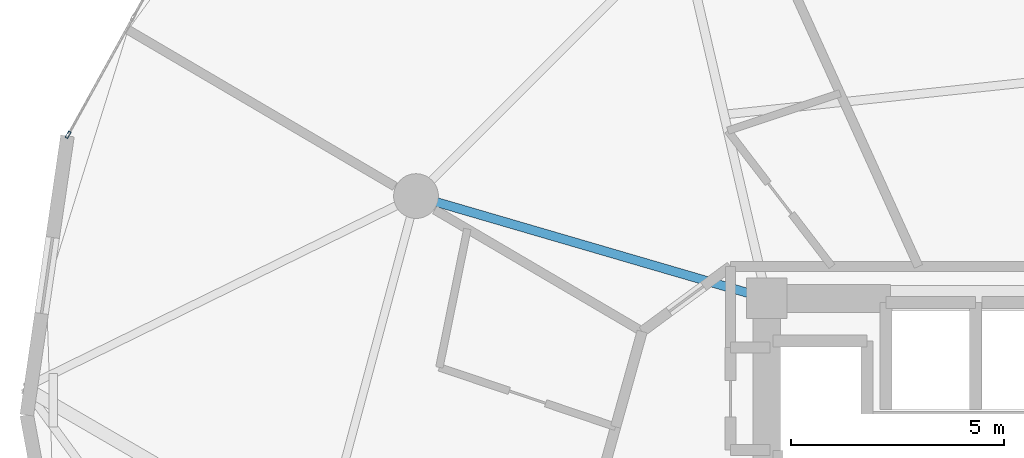
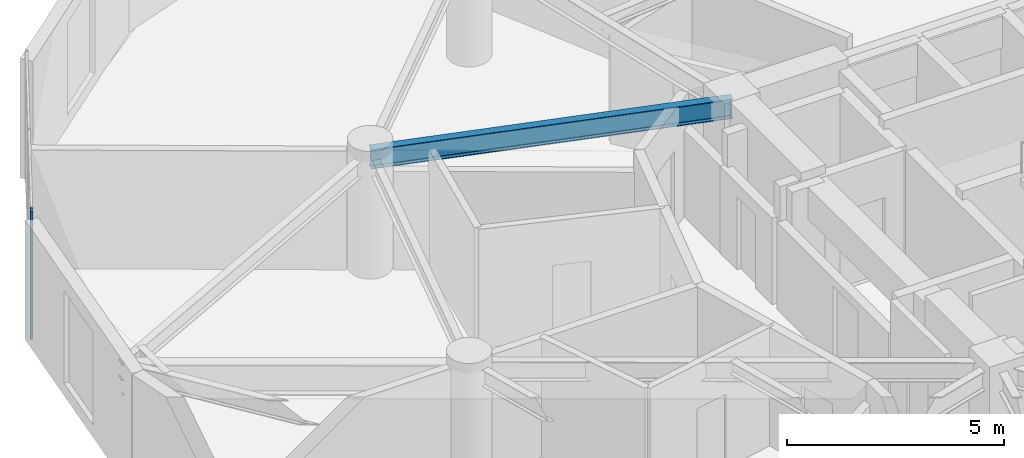
# One storey, part 4 of 21: 1 beam, 1 member, 1 element without a shape of its own.
"""IFC4 building model written with IfcOpenShell, lengths in metres."""

from ifc_helpers import new_model, si_unit, direction, frame, origin, origin_2d, place, context, subcontext, project, spatial, hollow_rectangle, i_section, extrude, source, transform, mapped, material, layer, layer_set, material_profile, profile_set, type_object, element, aggregate, save


model = new_model("IFC4")

# Units and contexts
model_context = context("Model", 3, precision=1e-05, world=origin(), true_north=direction((0.0, 1.0)))
body_context = subcontext(model_context, "Body", "Model", "MODEL_VIEW")
ifc_project = project(units=[si_unit("LENGTHUNIT", "METRE"), si_unit("AREAUNIT", "SQUARE_METRE"), si_unit("VOLUMEUNIT", "CUBIC_METRE"), si_unit("PLANEANGLEUNIT", "RADIAN"), si_unit("MASSUNIT", "GRAM", prefix="KILO")], contexts=[model_context])

# Site, building, storey
site_placement = place(None, origin())
site = spatial("IfcSite", under=ifc_project, at=site_placement, CompositionType="ELEMENT")
building_placement = place(site_placement, origin())
building = spatial("IfcBuilding", under=site, at=building_placement, Name="Solvirekh Grand Hotel", CompositionType="ELEMENT")
storey_placement = place(building_placement, frame((0.0, 0.0, 131.39990234375)))
storey = spatial("IfcBuildingStorey", under=building, at=storey_placement, Name="L33", CompositionType="ELEMENT", Elevation=131.39990234375)

# Beam
ifc_material_1 = material(Name="Steel S355", Category="steel")
ifc_material_profile_1 = material_profile(ifc_material_1, i_section(OverallWidth=0.2119140625, OverallDepth=0.5439453125, WebThickness=0.011962890625, FlangeThickness=0.01904296875, FilletRadius=0.013916015625, at=origin_2d()), Name="W530X123")
ifc_profile_set_1 = profile_set([ifc_material_profile_1], Name="Steel S355")
beam_type = type_object("IfcBeamType", Name="Beam_Radial_W530H", PredefinedType="BEAM", material=ifc_profile_set_1)
beam_placement = place(storey_placement, frame((-6.5, 6.10009765625, 3.078125), z_axis=(-0.959942195467, 0.28019811092, 0.0), x_axis=(-0.28019811092, -0.959942195467, 0.0)))
element("IfcBeam", 1, at=beam_placement, inside=storey, type_object=beam_type, Name="L33 radial floor beam R06", PredefinedType="BEAM", context=body_context, shape_type="SweptSolid", body=[
    extrude(i_section(OverallWidth=0.2119140625, OverallDepth=0.5439453125, WebThickness=0.011962890625, FlangeThickness=0.01904296875, FilletRadius=0.013916015625, at=origin_2d()), origin(), (0.0, 0.0, 1.0), 8.56494140625),
])

# Curtain wall, member
ifc_material_2 = material(Name="Anodized Bronze Aluminium 6063-T6", Category="aluminium")
ifc_layer = layer(ifc_material_2, 0.175048828125)
ifc_layer_set = layer_set([ifc_layer], Name="Anodized Bronze Aluminium 6063-T6")
curtain_wall_type = type_object("IfcCurtainWallType", Name="CW_Sys3_MidZoneFlushBronzeCW", PredefinedType="NOTDEFINED", material=ifc_layer_set)
curtain_wall_placement = place(storey_placement, origin())
curtain_wall = element("IfcCurtainWall", 2, at=curtain_wall_placement, inside=storey, type_object=curtain_wall_type, Name="L33 unitised bronze-glass curtain wall CW-L33-C11", PredefinedType="NOTDEFINED")
ifc_material_profile_2 = material_profile(ifc_material_2, hollow_rectangle(XDim=0.06494140625, YDim=0.175048828125, WallThickness=0.0048828125, at=origin_2d()), Name="ALU RHS 175X65X5")
ifc_profile_set_2 = profile_set([ifc_material_profile_2], Name="Anodized Bronze Aluminium 6063-T6")
member_type = type_object("IfcMemberType", Name="CWMullion_Sys3", PredefinedType="MULLION", material=ifc_profile_set_2)
shared_shape = source(origin(), body_context, "Body", "SweptSolid", [
    extrude(hollow_rectangle(XDim=0.06494140625, YDim=0.175048828125, WallThickness=0.0048828125, at=origin_2d()), origin(), (0.0, 0.0, 1.0), 3.60009765625),
])
member_placement = place(storey_placement, frame((-22.87939453125, 9.9384765625, 0.0), z_axis=(0.0, 0.0, 1.0), x_axis=(0.875133069134, -0.48388233209, 0.0)))
member = element("IfcMember", 3, at=member_placement, type_object=member_type, Name="U03 mullion 3", PredefinedType="MULLION", context=body_context, shape_type="MappedRepresentation", body=[
    mapped(shared_shape, transform((0.0, 0.0, 0.0), x_axis=(1.0, 0.0, 0.0), y_axis=(0.0, 1.0, 0.0), z_axis=(0.0, 0.0, 1.0), scale=1.0)),
])
aggregate(curtain_wall, [member])

save(model, "model.ifc")
